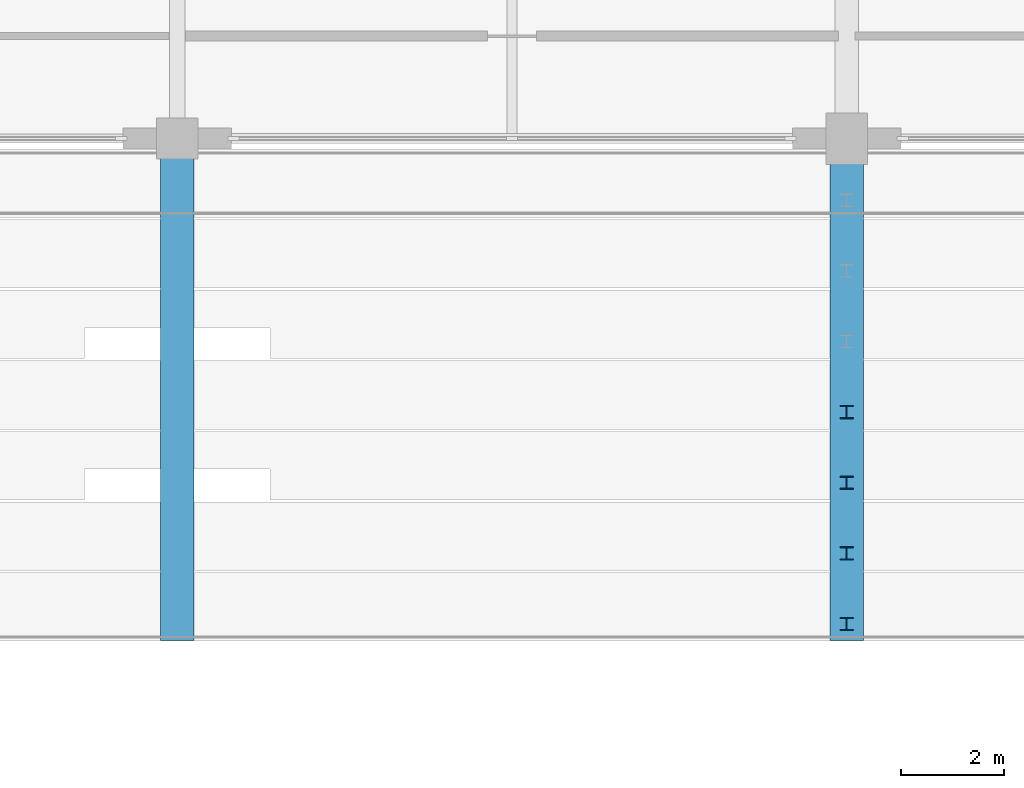
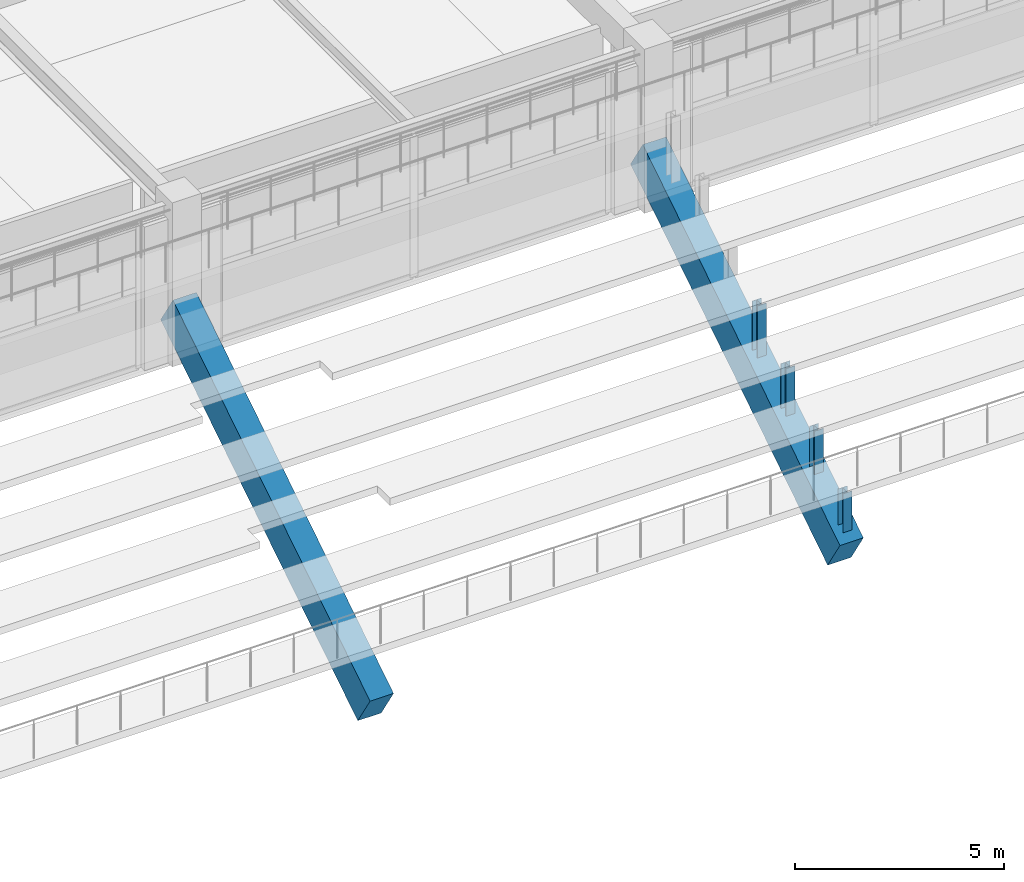
# One storey, part 28 of 134: 4 members, 2 beams.
"""IFC4 building model written with IfcOpenShell, lengths in metres."""

from ifc_helpers import new_model, si_unit, direction, frame, origin, origin_2d, place, context, subcontext, project, spatial, rectangle, i_section, extrude, material, material_profile, profile_set, type_object, element, save


model = new_model("IFC4")

# Units and contexts
model_context = context("Model", 3, precision=1e-05, world=origin(), true_north=direction((0.0, 1.0)))
body_context = subcontext(model_context, "Body", "Model", "MODEL_VIEW")
ifc_project = project(units=[si_unit("LENGTHUNIT", "METRE"), si_unit("AREAUNIT", "SQUARE_METRE"), si_unit("VOLUMEUNIT", "CUBIC_METRE"), si_unit("PLANEANGLEUNIT", "RADIAN"), si_unit("MASSUNIT", "GRAM", prefix="KILO")], contexts=[model_context])

# Site, building, storey
site_placement = place(None, origin())
site = spatial("IfcSite", under=ifc_project, at=site_placement, CompositionType="ELEMENT")
building_placement = place(site_placement, origin())
building = spatial("IfcBuilding", under=site, at=building_placement, Name="Kazenohara Klinker Stadium", CompositionType="ELEMENT")
storey_placement = place(building_placement, frame((0.0, 0.0, 5.39990234375)))
storey = spatial("IfcBuildingStorey", under=building, at=storey_placement, Name="L01", CompositionType="ELEMENT", Elevation=5.39990234375)

# Members
ifc_material_1 = material(Name="Steel S355", Category="steel")
ifc_material_profile_1 = material_profile(ifc_material_1, i_section(OverallWidth=0.25, OverallDepth=0.25, WebThickness=0.009033203125, FlangeThickness=0.013916015625, FilletRadius=0.012939453125, at=origin_2d()), Name="H-250x250x9x14")
ifc_profile_set_1 = profile_set([ifc_material_profile_1], Name="Steel S355")
member_type = type_object("IfcMemberType", Name="MEM-STR02", PredefinedType="STRUT", material=ifc_profile_set_1)
member_1_placement = place(storey_placement, frame((125.0, 126.68701171875, -1.333984375), z_axis=(0.0, 0.0, 1.0), x_axis=(1.0, 0.0, 0.0)))
element("IfcMember", 1, at=member_1_placement, inside=storey, type_object=member_type, Name="Precast tier riser stool LOWER-N-04-10", PredefinedType="STRUT", context=body_context, shape_type="SweptSolid", body=[
    extrude(i_section(OverallWidth=0.25, OverallDepth=0.25, WebThickness=0.009033203125, FlangeThickness=0.013916015625, FilletRadius=0.012939453125, at=origin_2d()), origin(), (0.0, 0.0, 1.0), 1.524169921875),
])
member_2_placement = place(storey_placement, frame((125.0, 125.315673828125, -2.20458984375), z_axis=(0.0, 0.0, 1.0), x_axis=(1.0, 0.0, 0.0)))
element("IfcMember", 2, at=member_2_placement, inside=storey, type_object=member_type, Name="Precast tier riser stool LOWER-N-05-10", PredefinedType="STRUT", context=body_context, shape_type="SweptSolid", body=[
    extrude(i_section(OverallWidth=0.25, OverallDepth=0.25, WebThickness=0.009033203125, FlangeThickness=0.013916015625, FilletRadius=0.012939453125, at=origin_2d()), origin(), (0.0, 0.0, 1.0), 1.394775390625),
])
member_3_placement = place(storey_placement, frame((125.0, 123.9443359375, -3.075439453125), z_axis=(0.0, 0.0, 1.0), x_axis=(1.0, 0.0, 0.0)))
element("IfcMember", 3, at=member_3_placement, inside=storey, type_object=member_type, Name="Precast tier riser stool LOWER-N-06-10", PredefinedType="STRUT", context=body_context, shape_type="SweptSolid", body=[
    extrude(i_section(OverallWidth=0.25, OverallDepth=0.25, WebThickness=0.009033203125, FlangeThickness=0.013916015625, FilletRadius=0.012939453125, at=origin_2d()), origin(), (0.0, 0.0, 1.0), 1.265625),
])
member_4_placement = place(storey_placement, frame((125.0, 122.572998046875, -3.9462890625), z_axis=(0.0, 0.0, 1.0), x_axis=(1.0, 0.0, 0.0)))
element("IfcMember", 4, at=member_4_placement, inside=storey, type_object=member_type, Name="Precast tier riser stool LOWER-N-07-10", PredefinedType="STRUT", context=body_context, shape_type="SweptSolid", body=[
    extrude(i_section(OverallWidth=0.25, OverallDepth=0.25, WebThickness=0.009033203125, FlangeThickness=0.013916015625, FilletRadius=0.012939453125, at=origin_2d()), origin(), (0.0, 0.0, 1.0), 1.136474609375),
])

# Beams
ifc_material_2 = material(Name="Precast concrete C50/60", Category="concrete")
ifc_material_profile_2 = material_profile(ifc_material_2, rectangle(XDim=0.64990234375, YDim=1.10009765625, at=origin_2d()), Name="PC-RAKER-650x1100")
ifc_profile_set_2 = profile_set([ifc_material_profile_2], Name="Precast concrete C50/60")
beam_type = type_object("IfcBeamType", Name="RAKER-RK01", PredefinedType="USERDEFINED", material=ifc_profile_set_2)
for number, where, z_axis, x_axis, name in (
    (5, (112.0, 132.0, 1.401611328125), (0.0, -0.844211562005, -0.536010110518), (1.0, 0.0, 0.0), "Precast bowl raker girder RK01 LOWER North 10"),
    (6, (125.0, 132.0, 1.401611328125), (0.0, -0.844211562005, -0.536010110518), (1.0, 0.0, 0.0), "Precast bowl raker girder RK01 LOWER North 11"),
):
    element("IfcBeam", number, at=place(storey_placement, frame(where, z_axis=z_axis, x_axis=x_axis)), inside=storey, type_object=beam_type, Name=name, ObjectType="RAKER", PredefinedType="USERDEFINED", context=body_context, shape_type="SweptSolid", body=[
        extrude(rectangle(XDim=0.64990234375, YDim=1.10009765625, at=origin_2d()), origin(), (0.0, 0.0, 1.0), 11.19384765625),
    ])

save(model, "model.ifc")
